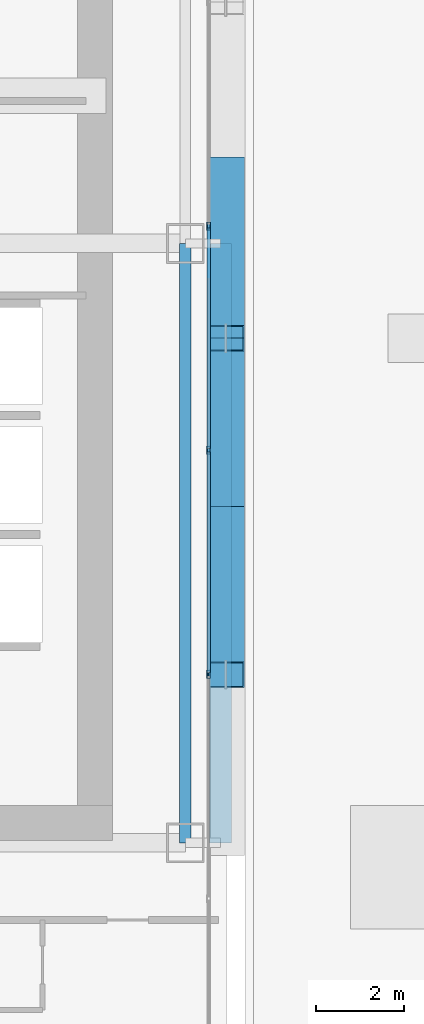
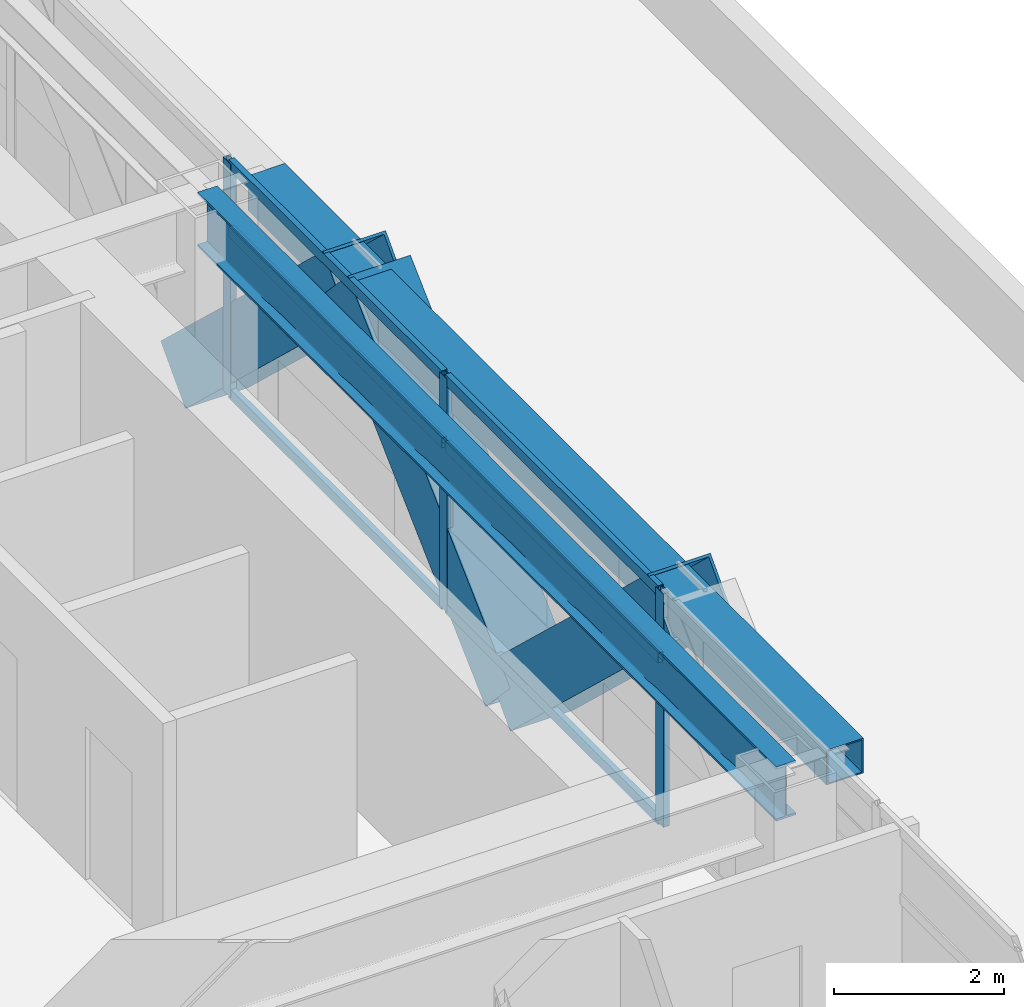
# One storey, part 13 of 35: 12 members, 2 beams, 1 element without a shape of its own.
"""IFC4 building model written with IfcOpenShell, lengths in metres."""

from ifc_helpers import new_model, si_unit, direction, frame, origin, origin_2d, place, context, subcontext, project, spatial, hollow_rectangle, i_section, extrude, source, transform, mapped, material, layer, layer_set, material_profile, profile_set, type_object, element, aggregate, save


model = new_model("IFC4")

# Units and contexts
model_context = context("Model", 3, precision=1e-05, world=origin(), true_north=direction((0.0, 1.0)))
body_context = subcontext(model_context, "Body", "Model", "MODEL_VIEW")
ifc_project = project(units=[si_unit("LENGTHUNIT", "METRE"), si_unit("AREAUNIT", "SQUARE_METRE"), si_unit("VOLUMEUNIT", "CUBIC_METRE"), si_unit("PLANEANGLEUNIT", "RADIAN"), si_unit("MASSUNIT", "GRAM", prefix="KILO")], contexts=[model_context])

# Site, building, storey
site_placement = place(None, origin())
site = spatial("IfcSite", under=ifc_project, at=site_placement, CompositionType="ELEMENT")
building_placement = place(site_placement, origin())
building = spatial("IfcBuilding", under=site, at=building_placement, Name="Ocotamira Hotel", CompositionType="ELEMENT")
storey_placement = place(building_placement, frame((0.0, 0.0, 34.800048828125)))
storey = spatial("IfcBuildingStorey", under=building, at=storey_placement, Name="L07", CompositionType="ELEMENT", Elevation=34.800048828125)

# Beams
ifc_material_1 = material(Name="Steel ASTM A992 Grade 50", Category="steel")
ifc_material_profile_1 = material_profile(ifc_material_1, i_section(OverallWidth=0.26611328125, OverallDepth=0.779052734375, WebThickness=0.0166015625, FlangeThickness=0.030029296875, FilletRadius=0.01806640625, at=origin_2d()), Name="W30X148")
ifc_profile_set_1 = profile_set([ifc_material_profile_1], Name="Steel ASTM A992 Grade 50")
beam_type_1 = type_object("IfcBeamType", Name="BM-GIRD-W30X148", PredefinedType="BEAM", material=ifc_profile_set_1)
shared_shape_1 = source(origin(), body_context, "Body", "SweptSolid", [
    extrude(i_section(OverallWidth=0.26611328125, OverallDepth=0.779052734375, WebThickness=0.0166015625, FlangeThickness=0.030029296875, FilletRadius=0.01806640625, at=origin_2d()), origin(), (0.0, 0.0, 1.0), 13.599853515625),
])
beam_1_placement = place(storey_placement, frame((55.050048828125, 14.550048828125, 2.96044921875), z_axis=(0.0, 1.0, 0.0), x_axis=(-1.0, 0.0, 0.0)))
element("IfcBeam", 1, at=beam_1_placement, inside=storey, type_object=beam_type_1, Name="L07 Beam X55.05 Y14.55-28.15", PredefinedType="BEAM", context=body_context, shape_type="MappedRepresentation", body=[
    mapped(shared_shape_1, transform((0.0, 0.0, 0.0), scale=1.0)),
])
ifc_material_2 = material(Name="Steel ASTM A500 Grade C", Category="steel")
ifc_material_profile_2 = material_profile(ifc_material_2, hollow_rectangle(XDim=0.5, YDim=0.5, WallThickness=0.02001953125, at=origin_2d()), Name="HSS500X500X20")
ifc_profile_set_2 = profile_set([ifc_material_profile_2], Name="Steel ASTM A500 Grade C")
beam_type_2 = type_object("IfcBeamType", Name="BM-SPAN-HSS500", PredefinedType="USERDEFINED", material=ifc_profile_set_2)
shared_shape_2 = source(origin(), body_context, "Body", "SweptSolid", [
    extrude(hollow_rectangle(XDim=0.5, YDim=0.5, WallThickness=0.02001953125, at=origin_2d()), origin(), (0.0, 0.0, 1.0), 13.599853515625),
])
beam_2_placement = place(storey_placement, frame((55.85009765625, 14.550048828125, 3.099853515625), z_axis=(0.0, 1.0, 0.0), x_axis=(-1.0, 0.0, 0.0)))
element("IfcBeam", 2, at=beam_2_placement, inside=storey, type_object=beam_type_2, Name="L07 Edge Spandrel E Y14.55-28.15", ObjectType="SPANDREL", PredefinedType="USERDEFINED", context=body_context, shape_type="MappedRepresentation", body=[
    mapped(shared_shape_2, transform((0.0, 0.0, 0.0), scale=1.0)),
])

# Members
ifc_material_3 = material(Name="Pale-metal coated steel ASTM A913 Grade 65", Category="steel")
ifc_material_profile_3 = material_profile(ifc_material_3, hollow_rectangle(XDim=0.85009765625, YDim=0.85009765625, WallThickness=0.035888671875, at=origin_2d()), Name="BOX850X850X36")
ifc_profile_set_3 = profile_set([ifc_material_profile_3], Name="Pale-metal coated steel ASTM A913 Grade 65")
member_type_1 = type_object("IfcMemberType", Name="MEM-EXO-BOX850", PredefinedType="BRACE", material=ifc_profile_set_3)
shared_shape_3 = source(origin(), body_context, "Body", "SweptSolid", [
    extrude(hollow_rectangle(XDim=0.85009765625, YDim=0.85009765625, WallThickness=0.035888671875, at=origin_2d()), origin(), (0.0, 0.0, 1.0), 5.24658203125),
])
for number, where, z_axis, x_axis, name in (
    (3, (55.969970703125, 22.183349609375, -0.5), (0.0, -0.72746596067, 0.686143772154), (1.0, 0.0, 0.0), "L07 Exoskeleton Diagrid E0.2"),
    (4, (55.969970703125, 22.183349609375, -0.5), (0.0, 0.72746596067, 0.686143772154), (-1.0, 0.0, 0.0), "L07 Exoskeleton Diagrid E1.1"),
    (5, (55.969970703125, 29.816650390625, -0.5), (0.0, -0.72746596067, 0.686143772154), (1.0, 0.0, 0.0), "L07 Exoskeleton Diagrid E1.2"),
):
    element("IfcMember", number, at=place(storey_placement, frame(where, z_axis=z_axis, x_axis=x_axis)), inside=storey, type_object=member_type_1, Name=name, PredefinedType="BRACE", context=body_context, shape_type="MappedRepresentation", body=[
        mapped(shared_shape_3, transform((0.0, 0.0, 0.0), scale=1.0)),
    ])

# Curtain wall, members
ifc_material_4 = material(Name="Anodised pale-metal aluminium and solar glass", Category="aluminium")
ifc_layer = layer(ifc_material_4, 0.179931640625)
ifc_layer_set = layer_set([ifc_layer], Name="Anodised pale-metal aluminium and solar glass")
curtain_wall_type = type_object("IfcCurtainWallType", Name="CW-SYS2-Z1", PredefinedType="NOTDEFINED", material=ifc_layer_set)
curtain_wall_placement = place(storey_placement, origin())
curtain_wall = element("IfcCurtainWall", 6, at=curtain_wall_placement, inside=storey, type_object=curtain_wall_type, Name="L07 Curtain Wall CW-2 CW-L07-E", PredefinedType="NOTDEFINED")
ifc_material_5 = material(Name="Anodised pale-metal aluminium 6063-T6", Category="aluminium")
ifc_material_profile_4 = material_profile(ifc_material_5, hollow_rectangle(XDim=0.080078125, YDim=0.179931640625, WallThickness=0.006103515625, at=origin_2d()), Name="HSS180X80X6")
ifc_profile_set_4 = profile_set([ifc_material_profile_4], Name="Anodised pale-metal aluminium 6063-T6")
member_type_2 = type_object("IfcMemberType", Name="CWM-180X75", PredefinedType="MULLION", material=ifc_profile_set_4)
shared_shape_4 = source(origin(), body_context, "Body", "SweptSolid", [
    extrude(hollow_rectangle(XDim=0.080078125, YDim=0.179931640625, WallThickness=0.006103515625, at=origin_2d()), origin(), (0.0, 0.0, 1.0), 3.349853515625),
])
member_1_placement = place(storey_placement, frame((55.580078125, 18.371337890625, 0.0), z_axis=(0.0, 0.0, 1.0), x_axis=(-1.0, 0.0, 0.0)))
member_1 = element("IfcMember", 7, at=member_1_placement, type_object=member_type_2, Name="CW-2 mullion 3", PredefinedType="MULLION", context=body_context, shape_type="MappedRepresentation", body=[
    mapped(shared_shape_4, transform((0.0, 0.0, 0.0), scale=1.0)),
])
member_2_placement = place(storey_placement, frame((55.580078125, 23.45703125, 0.0), z_axis=(0.0, 0.0, 1.0), x_axis=(-1.0, 0.0, 0.0)))
member_2 = element("IfcMember", 8, at=member_2_placement, type_object=member_type_2, Name="CW-2 mullion 4", PredefinedType="MULLION", context=body_context, shape_type="MappedRepresentation", body=[
    mapped(shared_shape_4, transform((0.0, 0.0, 0.0), scale=1.0)),
])
member_3_placement = place(storey_placement, frame((55.580078125, 28.54296875, 0.0), z_axis=(0.0, 0.0, 1.0), x_axis=(-1.0, 0.0, 0.0)))
member_3 = element("IfcMember", 9, at=member_3_placement, type_object=member_type_2, Name="CW-2 mullion 5", PredefinedType="MULLION", context=body_context, shape_type="MappedRepresentation", body=[
    mapped(shared_shape_4, transform((0.0, 0.0, 0.0), scale=1.0)),
])
ifc_material_profile_5 = material_profile(ifc_material_5, hollow_rectangle(XDim=0.074951171875, YDim=0.14990234375, WallThickness=0.006103515625, at=origin_2d()), Name="HSS150X75X6")
ifc_profile_set_5 = profile_set([ifc_material_profile_5], Name="Anodised pale-metal aluminium 6063-T6")
member_type_3 = type_object("IfcMemberType", Name="CWT-150X75", PredefinedType="USERDEFINED", material=ifc_profile_set_5)
shared_shape_5 = source(origin(), body_context, "Body", "SweptSolid", [
    extrude(hollow_rectangle(XDim=0.074951171875, YDim=0.14990234375, WallThickness=0.006103515625, at=origin_2d()), origin(), (0.0, 0.0, 1.0), 5.005859375),
])
member_4_placement = place(storey_placement, frame((55.580078125, 18.411376953125, 0.037353515625), z_axis=(0.0, 1.0, 0.0), x_axis=(-1.0, 0.0, 0.0)))
member_4 = element("IfcMember", 10, at=member_4_placement, type_object=member_type_3, Name="CW-2 transom 3.1", ObjectType="TRANSOM", PredefinedType="USERDEFINED", context=body_context, shape_type="MappedRepresentation", body=[
    mapped(shared_shape_5, transform((0.0, 0.0, 0.0), scale=1.0)),
])
member_5_placement = place(storey_placement, frame((55.580078125, 18.411376953125, 2.349853515625), z_axis=(0.0, 1.0, 0.0), x_axis=(-1.0, 0.0, 0.0)))
member_5 = element("IfcMember", 11, at=member_5_placement, type_object=member_type_3, Name="CW-2 transom 3.2", ObjectType="TRANSOM", PredefinedType="USERDEFINED", context=body_context, shape_type="MappedRepresentation", body=[
    mapped(shared_shape_5, transform((0.0, 0.0, 0.0), scale=1.0)),
])
member_6_placement = place(storey_placement, frame((55.580078125, 18.411376953125, 3.3125), z_axis=(0.0, 1.0, 0.0), x_axis=(-1.0, 0.0, 0.0)))
member_6 = element("IfcMember", 12, at=member_6_placement, type_object=member_type_3, Name="CW-2 transom 3.3", ObjectType="TRANSOM", PredefinedType="USERDEFINED", context=body_context, shape_type="MappedRepresentation", body=[
    mapped(shared_shape_5, transform((0.0, 0.0, 0.0), scale=1.0)),
])
member_7_placement = place(storey_placement, frame((55.580078125, 23.4970703125, 0.037353515625), z_axis=(0.0, 1.0, 0.0), x_axis=(-1.0, 0.0, 0.0)))
member_7 = element("IfcMember", 13, at=member_7_placement, type_object=member_type_3, Name="CW-2 transom 4.1", ObjectType="TRANSOM", PredefinedType="USERDEFINED", context=body_context, shape_type="MappedRepresentation", body=[
    mapped(shared_shape_5, transform((0.0, 0.0, 0.0), scale=1.0)),
])
member_8_placement = place(storey_placement, frame((55.580078125, 23.4970703125, 2.349853515625), z_axis=(0.0, 1.0, 0.0), x_axis=(-1.0, 0.0, 0.0)))
member_8 = element("IfcMember", 14, at=member_8_placement, type_object=member_type_3, Name="CW-2 transom 4.2", ObjectType="TRANSOM", PredefinedType="USERDEFINED", context=body_context, shape_type="MappedRepresentation", body=[
    mapped(shared_shape_5, transform((0.0, 0.0, 0.0), scale=1.0)),
])
member_9_placement = place(storey_placement, frame((55.580078125, 23.4970703125, 3.3125), z_axis=(0.0, 1.0, 0.0), x_axis=(-1.0, 0.0, 0.0)))
member_9 = element("IfcMember", 15, at=member_9_placement, type_object=member_type_3, Name="CW-2 transom 4.3", ObjectType="TRANSOM", PredefinedType="USERDEFINED", context=body_context, shape_type="MappedRepresentation", body=[
    mapped(shared_shape_5, transform((0.0, 0.0, 0.0), scale=1.0)),
])
aggregate(curtain_wall, [member_1, member_2, member_3, member_4, member_5, member_6, member_7, member_8, member_9])

save(model, "model.ifc")
